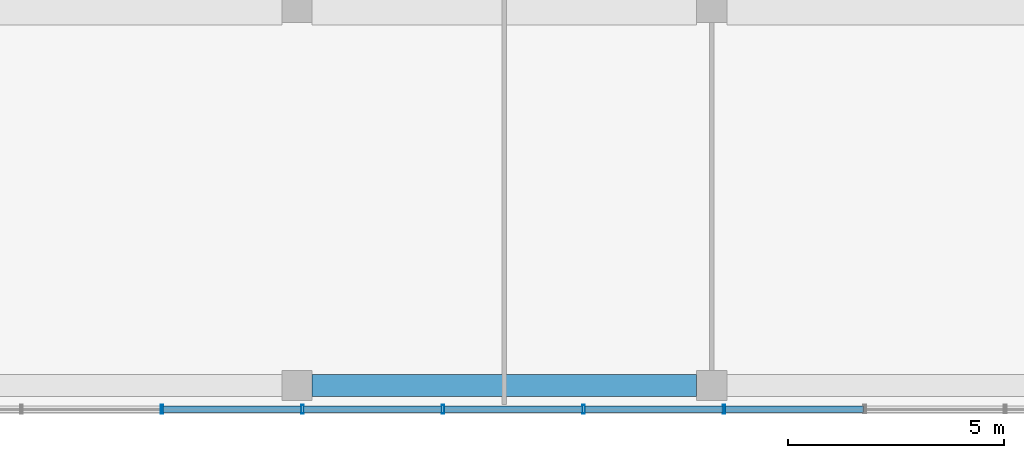
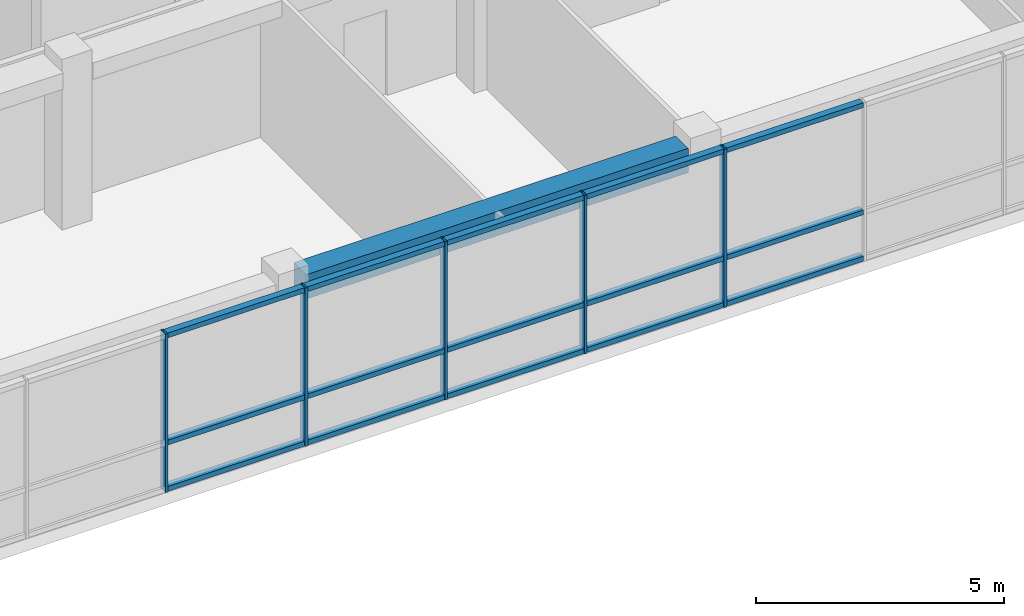
# One storey, part 4 of 27: 20 members, 1 beam, 1 element without a shape of its own.
"""IFC4 building model written with IfcOpenShell, lengths in metres."""

from ifc_helpers import new_model, si_unit, direction, frame, origin, origin_2d, place, context, subcontext, project, spatial, rectangle, hollow_rectangle, extrude, material, layer, layer_set, material_profile, profile_set, type_object, element, aggregate, save


model = new_model("IFC4")

# Units and contexts
model_context = context("Model", 3, precision=1e-05, world=origin(), true_north=direction((0.0, 1.0)))
body_context = subcontext(model_context, "Body", "Model", "MODEL_VIEW")
ifc_project = project(units=[si_unit("LENGTHUNIT", "METRE"), si_unit("AREAUNIT", "SQUARE_METRE"), si_unit("VOLUMEUNIT", "CUBIC_METRE"), si_unit("PLANEANGLEUNIT", "RADIAN"), si_unit("MASSUNIT", "GRAM", prefix="KILO")], contexts=[model_context])

# Site, building, storey
site_placement = place(None, origin())
site = spatial("IfcSite", under=ifc_project, at=site_placement, CompositionType="ELEMENT")
building_placement = place(site_placement, origin())
building = spatial("IfcBuilding", under=site, at=building_placement, Name="Nzadi Deep Aquarium and Research Tower", CompositionType="ELEMENT")
storey_placement = place(building_placement, frame((0.0, 0.0, 69.699951171875)))
storey = spatial("IfcBuildingStorey", under=building, at=storey_placement, Name="L14", CompositionType="ELEMENT", Elevation=69.699951171875)

# Curtain wall, members
ifc_material_1 = material(Name="Aluminium unitised frame", Category="aluminium")
ifc_layer = layer(ifc_material_1, 0.199951171875)
ifc_layer_set = layer_set([ifc_layer], Name="Aluminium unitised frame")
curtain_wall_type = type_object("IfcCurtainWallType", Name="Curtain wall Unitised 200", PredefinedType="NOTDEFINED", material=ifc_layer_set)
curtain_wall_placement = place(storey_placement, origin())
curtain_wall = element("IfcCurtainWall", 1, at=curtain_wall_placement, inside=storey, type_object=curtain_wall_type, Name="Unitised curtain wall blade A south L14", PredefinedType="NOTDEFINED")
ifc_material_2 = material(Name="Aluminium unitised frame", Category="aluminium")
ifc_material_profile_1 = material_profile(ifc_material_2, hollow_rectangle(XDim=0.199951171875, YDim=0.06005859375, WallThickness=0.0048828125, at=origin_2d()))
ifc_profile_set_1 = profile_set([ifc_material_profile_1], Name="Aluminium unitised frame")
member_type_1 = type_object("IfcMemberType", Name="Mullion 60x200 Unitised", PredefinedType="MULLION", material=ifc_profile_set_1)
member_1_placement = place(storey_placement, frame((16.07080078125, -0.10009765625, 0.0), z_axis=(0.0, 0.0, 1.0), x_axis=(0.0, 1.0, 0.0)))
member_1 = element("IfcMember", 2, at=member_1_placement, type_object=member_type_1, Name="CW064 mullion 6", PredefinedType="MULLION", context=body_context, shape_type="SweptSolid", body=[
    extrude(hollow_rectangle(XDim=0.199951171875, YDim=0.06005859375, WallThickness=0.0048828125, at=origin_2d()), origin(), (0.0, 0.0, 1.0), 3.900146484375),
])
member_2_placement = place(storey_placement, frame((19.324951171875, -0.10009765625, 0.0), z_axis=(0.0, 0.0, 1.0), x_axis=(0.0, 1.0, 0.0)))
member_2 = element("IfcMember", 3, at=member_2_placement, type_object=member_type_1, Name="CW064 mullion 7", PredefinedType="MULLION", context=body_context, shape_type="SweptSolid", body=[
    extrude(hollow_rectangle(XDim=0.199951171875, YDim=0.06005859375, WallThickness=0.0048828125, at=origin_2d()), origin(), (0.0, 0.0, 1.0), 3.900146484375),
])
member_3_placement = place(storey_placement, frame((22.5791015625, -0.10009765625, 0.0), z_axis=(0.0, 0.0, 1.0), x_axis=(0.0, 1.0, 0.0)))
member_3 = element("IfcMember", 4, at=member_3_placement, type_object=member_type_1, Name="CW064 mullion 8", PredefinedType="MULLION", context=body_context, shape_type="SweptSolid", body=[
    extrude(hollow_rectangle(XDim=0.199951171875, YDim=0.06005859375, WallThickness=0.0048828125, at=origin_2d()), origin(), (0.0, 0.0, 1.0), 3.900146484375),
])
member_4_placement = place(storey_placement, frame((25.833251953125, -0.10009765625, 0.0), z_axis=(0.0, 0.0, 1.0), x_axis=(0.0, 1.0, 0.0)))
member_4 = element("IfcMember", 5, at=member_4_placement, type_object=member_type_1, Name="CW064 mullion 9", PredefinedType="MULLION", context=body_context, shape_type="SweptSolid", body=[
    extrude(hollow_rectangle(XDim=0.199951171875, YDim=0.06005859375, WallThickness=0.0048828125, at=origin_2d()), origin(), (0.0, 0.0, 1.0), 3.900146484375),
])
member_5_placement = place(storey_placement, frame((29.08740234375, -0.10009765625, 0.0), z_axis=(0.0, 0.0, 1.0), x_axis=(0.0, 1.0, 0.0)))
member_5 = element("IfcMember", 6, at=member_5_placement, type_object=member_type_1, Name="CW064 mullion 10", PredefinedType="MULLION", context=body_context, shape_type="SweptSolid", body=[
    extrude(hollow_rectangle(XDim=0.199951171875, YDim=0.06005859375, WallThickness=0.0048828125, at=origin_2d()), origin(), (0.0, 0.0, 1.0), 3.900146484375),
])

# Beam
ifc_material_3 = material(Name="Concrete C35/45", Category="concrete")
ifc_material_profile_2 = material_profile(ifc_material_3, rectangle(XDim=0.5, YDim=0.60009765625, at=origin_2d()))
ifc_profile_set_2 = profile_set([ifc_material_profile_2], Name="Concrete C35/45")
beam_type = type_object("IfcBeamType", Name="RC 500x600", PredefinedType="BEAM", material=ifc_profile_set_2)
beam_placement = place(storey_placement, frame((19.550048828125, 0.449951171875, 3.60009765625), z_axis=(1.0, 0.0, 0.0), x_axis=(0.0, 1.0, 0.0)))
element("IfcBeam", 7, at=beam_placement, inside=storey, type_object=beam_type, Name="B-Z1-L14-L1-3", PredefinedType="BEAM", context=body_context, shape_type="SweptSolid", body=[
    extrude(rectangle(XDim=0.5, YDim=0.60009765625, at=origin_2d()), origin(), (0.0, 0.0, 1.0), 8.89990234375),
])

# Member
ifc_material_4 = material(Name="Aluminium unitised frame", Category="aluminium")
ifc_material_profile_3 = material_profile(ifc_material_4, hollow_rectangle(XDim=0.159912109375, YDim=0.1201171875, WallThickness=0.0048828125, at=origin_2d()))
ifc_profile_set_3 = profile_set([ifc_material_profile_3], Name="Aluminium unitised frame")
member_type_2 = type_object("IfcMemberType", Name="Transom 120x160 Unitised", PredefinedType="MULLION", material=ifc_profile_set_3)
member_6_placement = place(storey_placement, frame((16.100830078125, -0.10009765625, 0.06005859375), z_axis=(1.0, 0.0, 0.0), x_axis=(0.0, 1.0, 0.0)))
member_6 = element("IfcMember", 8, at=member_6_placement, type_object=member_type_2, Name="CW064 transom 6.1", PredefinedType="MULLION", context=body_context, shape_type="SweptSolid", body=[
    extrude(hollow_rectangle(XDim=0.159912109375, YDim=0.1201171875, WallThickness=0.0048828125, at=origin_2d()), origin(), (0.0, 0.0, 1.0), 3.194091796875),
])

member_7_placement = place(storey_placement, frame((16.100830078125, -0.10009765625, 1.199951171875), z_axis=(1.0, 0.0, 0.0), x_axis=(0.0, 1.0, 0.0)))
member_7 = element("IfcMember", 9, at=member_7_placement, type_object=member_type_2, Name="CW064 transom 6.2", PredefinedType="MULLION", context=body_context, shape_type="SweptSolid", body=[
    extrude(hollow_rectangle(XDim=0.159912109375, YDim=0.1201171875, WallThickness=0.0048828125, at=origin_2d()), origin(), (0.0, 0.0, 1.0), 3.194091796875),
])

member_8_placement = place(storey_placement, frame((16.100830078125, -0.10009765625, 3.840087890625), z_axis=(1.0, 0.0, 0.0), x_axis=(0.0, 1.0, 0.0)))
member_8 = element("IfcMember", 10, at=member_8_placement, type_object=member_type_2, Name="CW064 transom 6.3", PredefinedType="MULLION", context=body_context, shape_type="SweptSolid", body=[
    extrude(hollow_rectangle(XDim=0.159912109375, YDim=0.1201171875, WallThickness=0.0048828125, at=origin_2d()), origin(), (0.0, 0.0, 1.0), 3.194091796875),
])

member_9_placement = place(storey_placement, frame((19.35498046875, -0.10009765625, 0.06005859375), z_axis=(1.0, 0.0, 0.0), x_axis=(0.0, 1.0, 0.0)))
member_9 = element("IfcMember", 11, at=member_9_placement, type_object=member_type_2, Name="CW064 transom 7.1", PredefinedType="MULLION", context=body_context, shape_type="SweptSolid", body=[
    extrude(hollow_rectangle(XDim=0.159912109375, YDim=0.1201171875, WallThickness=0.0048828125, at=origin_2d()), origin(), (0.0, 0.0, 1.0), 3.194091796875),
])

member_10_placement = place(storey_placement, frame((19.35498046875, -0.10009765625, 1.199951171875), z_axis=(1.0, 0.0, 0.0), x_axis=(0.0, 1.0, 0.0)))
member_10 = element("IfcMember", 12, at=member_10_placement, type_object=member_type_2, Name="CW064 transom 7.2", PredefinedType="MULLION", context=body_context, shape_type="SweptSolid", body=[
    extrude(hollow_rectangle(XDim=0.159912109375, YDim=0.1201171875, WallThickness=0.0048828125, at=origin_2d()), origin(), (0.0, 0.0, 1.0), 3.194091796875),
])

member_11_placement = place(storey_placement, frame((19.35498046875, -0.10009765625, 3.840087890625), z_axis=(1.0, 0.0, 0.0), x_axis=(0.0, 1.0, 0.0)))
member_11 = element("IfcMember", 13, at=member_11_placement, type_object=member_type_2, Name="CW064 transom 7.3", PredefinedType="MULLION", context=body_context, shape_type="SweptSolid", body=[
    extrude(hollow_rectangle(XDim=0.159912109375, YDim=0.1201171875, WallThickness=0.0048828125, at=origin_2d()), origin(), (0.0, 0.0, 1.0), 3.194091796875),
])

member_12_placement = place(storey_placement, frame((22.609130859375, -0.10009765625, 0.06005859375), z_axis=(1.0, 0.0, 0.0), x_axis=(0.0, 1.0, 0.0)))
member_12 = element("IfcMember", 14, at=member_12_placement, type_object=member_type_2, Name="CW064 transom 8.1", PredefinedType="MULLION", context=body_context, shape_type="SweptSolid", body=[
    extrude(hollow_rectangle(XDim=0.159912109375, YDim=0.1201171875, WallThickness=0.0048828125, at=origin_2d()), origin(), (0.0, 0.0, 1.0), 3.194091796875),
])

member_13_placement = place(storey_placement, frame((22.609130859375, -0.10009765625, 1.199951171875), z_axis=(1.0, 0.0, 0.0), x_axis=(0.0, 1.0, 0.0)))
member_13 = element("IfcMember", 15, at=member_13_placement, type_object=member_type_2, Name="CW064 transom 8.2", PredefinedType="MULLION", context=body_context, shape_type="SweptSolid", body=[
    extrude(hollow_rectangle(XDim=0.159912109375, YDim=0.1201171875, WallThickness=0.0048828125, at=origin_2d()), origin(), (0.0, 0.0, 1.0), 3.194091796875),
])

member_14_placement = place(storey_placement, frame((22.609130859375, -0.10009765625, 3.840087890625), z_axis=(1.0, 0.0, 0.0), x_axis=(0.0, 1.0, 0.0)))
member_14 = element("IfcMember", 16, at=member_14_placement, type_object=member_type_2, Name="CW064 transom 8.3", PredefinedType="MULLION", context=body_context, shape_type="SweptSolid", body=[
    extrude(hollow_rectangle(XDim=0.159912109375, YDim=0.1201171875, WallThickness=0.0048828125, at=origin_2d()), origin(), (0.0, 0.0, 1.0), 3.194091796875),
])

member_15_placement = place(storey_placement, frame((25.86328125, -0.10009765625, 0.06005859375), z_axis=(1.0, 0.0, 0.0), x_axis=(0.0, 1.0, 0.0)))
member_15 = element("IfcMember", 17, at=member_15_placement, type_object=member_type_2, Name="CW064 transom 9.1", PredefinedType="MULLION", context=body_context, shape_type="SweptSolid", body=[
    extrude(hollow_rectangle(XDim=0.159912109375, YDim=0.1201171875, WallThickness=0.0048828125, at=origin_2d()), origin(), (0.0, 0.0, 1.0), 3.1943359375),
])

member_16_placement = place(storey_placement, frame((25.86328125, -0.10009765625, 1.199951171875), z_axis=(1.0, 0.0, 0.0), x_axis=(0.0, 1.0, 0.0)))
member_16 = element("IfcMember", 18, at=member_16_placement, type_object=member_type_2, Name="CW064 transom 9.2", PredefinedType="MULLION", context=body_context, shape_type="SweptSolid", body=[
    extrude(hollow_rectangle(XDim=0.159912109375, YDim=0.1201171875, WallThickness=0.0048828125, at=origin_2d()), origin(), (0.0, 0.0, 1.0), 3.1943359375),
])

member_17_placement = place(storey_placement, frame((25.86328125, -0.10009765625, 3.840087890625), z_axis=(1.0, 0.0, 0.0), x_axis=(0.0, 1.0, 0.0)))
member_17 = element("IfcMember", 19, at=member_17_placement, type_object=member_type_2, Name="CW064 transom 9.3", PredefinedType="MULLION", context=body_context, shape_type="SweptSolid", body=[
    extrude(hollow_rectangle(XDim=0.159912109375, YDim=0.1201171875, WallThickness=0.0048828125, at=origin_2d()), origin(), (0.0, 0.0, 1.0), 3.1943359375),
])

member_18_placement = place(storey_placement, frame((29.117431640625, -0.10009765625, 0.06005859375), z_axis=(1.0, 0.0, 0.0), x_axis=(0.0, 1.0, 0.0)))
member_18 = element("IfcMember", 20, at=member_18_placement, type_object=member_type_2, Name="CW064 transom 10.1", PredefinedType="MULLION", context=body_context, shape_type="SweptSolid", body=[
    extrude(hollow_rectangle(XDim=0.159912109375, YDim=0.1201171875, WallThickness=0.0048828125, at=origin_2d()), origin(), (0.0, 0.0, 1.0), 3.1943359375),
])

member_19_placement = place(storey_placement, frame((29.117431640625, -0.10009765625, 1.199951171875), z_axis=(1.0, 0.0, 0.0), x_axis=(0.0, 1.0, 0.0)))
member_19 = element("IfcMember", 21, at=member_19_placement, type_object=member_type_2, Name="CW064 transom 10.2", PredefinedType="MULLION", context=body_context, shape_type="SweptSolid", body=[
    extrude(hollow_rectangle(XDim=0.159912109375, YDim=0.1201171875, WallThickness=0.0048828125, at=origin_2d()), origin(), (0.0, 0.0, 1.0), 3.1943359375),
])

member_20_placement = place(storey_placement, frame((29.117431640625, -0.10009765625, 3.840087890625), z_axis=(1.0, 0.0, 0.0), x_axis=(0.0, 1.0, 0.0)))
member_20 = element("IfcMember", 22, at=member_20_placement, type_object=member_type_2, Name="CW064 transom 10.3", PredefinedType="MULLION", context=body_context, shape_type="SweptSolid", body=[
    extrude(hollow_rectangle(XDim=0.159912109375, YDim=0.1201171875, WallThickness=0.0048828125, at=origin_2d()), origin(), (0.0, 0.0, 1.0), 3.1943359375),
])

aggregate(curtain_wall, [member_1, member_2, member_3, member_4, member_5, member_6, member_7, member_8, member_9, member_10, member_11, member_12, member_13, member_14, member_15, member_16, member_17, member_18, member_19, member_20])

save(model, "model.ifc")
